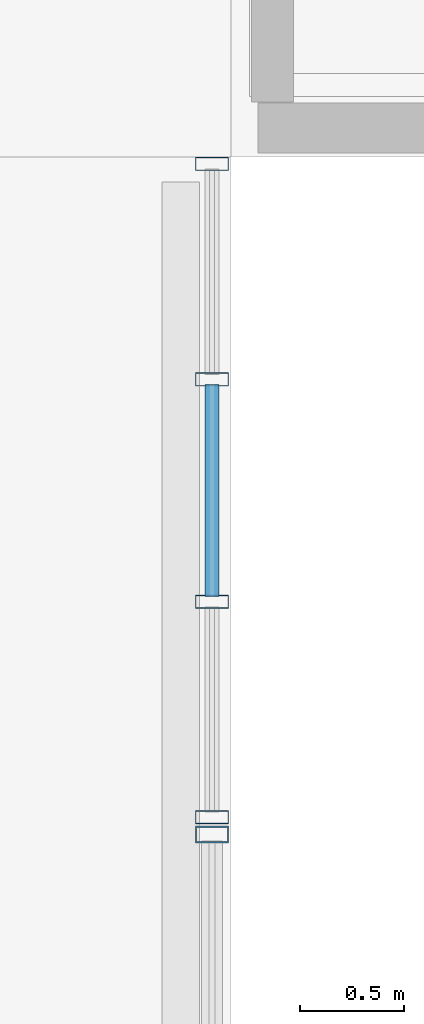
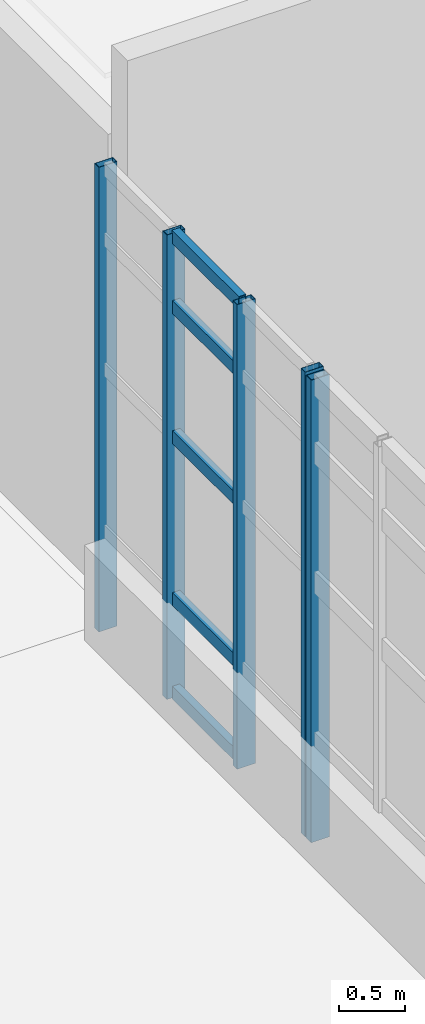
# One storey, part 25 of 57: 10 members, 2 elements without a shape of their own.
"""IFC4 building model written with IfcOpenShell, lengths in metres."""

from ifc_helpers import new_model, si_unit, derived_unit, direction, frame, origin, origin_2d, place, context, subcontext, project, spatial, hollow_rectangle, extrude, material, layer, layer_set, material_profile, profile_set, type_object, element, aggregate, save


model = new_model("IFC4")

# Units and contexts
model_context = context("Model", 3, precision=1e-05, world=origin(), true_north=direction((0.0, 1.0)))
body_context = subcontext(model_context, "Body", "Model", "MODEL_VIEW")
ifc_project = project(units=[si_unit("LENGTHUNIT", "METRE"), si_unit("AREAUNIT", "SQUARE_METRE"), si_unit("VOLUMEUNIT", "CUBIC_METRE"), si_unit("PLANEANGLEUNIT", "RADIAN"), si_unit("MASSUNIT", "GRAM", prefix="KILO"), derived_unit("THERMALTRANSMITTANCEUNIT", [(si_unit("POWERUNIT", "WATT"), 1), (si_unit("LENGTHUNIT", "METRE"), -2), (si_unit("THERMODYNAMICTEMPERATUREUNIT", "KELVIN"), -1)])], contexts=[model_context])

# Site, building, storey
site_placement = place(None, origin())
site = spatial("IfcSite", under=ifc_project, at=site_placement, CompositionType="ELEMENT")
building_placement = place(site_placement, origin())
building = spatial("IfcBuilding", under=site, at=building_placement, Name="Nallur Shell Playhouse", CompositionType="ELEMENT")
storey_placement = place(building_placement, origin())
storey = spatial("IfcBuildingStorey", under=building, at=storey_placement, Name="L01", CompositionType="ELEMENT", Elevation=0.0)

# Curtain wall, member
ifc_material_1 = material(Name="Anodised Aluminium Double-Glazed Facade System", Category="aluminium")
ifc_layer_1 = layer(ifc_material_1, 0.16796875)
ifc_layer_set_1 = layer_set([ifc_layer_1], Name="Anodised Aluminium Double-Glazed Facade System")
curtain_wall_type_1 = type_object("IfcCurtainWallType", Name="CW-UNIT-02", PredefinedType="NOTDEFINED", material=ifc_layer_set_1)
curtain_wall_1_placement = place(storey_placement, origin())
curtain_wall_1 = element("IfcCurtainWall", 1, at=curtain_wall_1_placement, inside=storey, type_object=curtain_wall_type_1, Name="Unitised curtain wall CW-002 (L01)", PredefinedType="NOTDEFINED")
ifc_material_2 = material(Name="Aluminium Alloy 6063-T6 Mullion", Category="aluminium")
ifc_material_profile_1 = material_profile(ifc_material_2, hollow_rectangle(XDim=0.080078125, YDim=0.159912109375, WallThickness=0.006103515625, at=origin_2d()), Name="RHS 160x80x6")
ifc_profile_set_1 = profile_set([ifc_material_profile_1], Name="Aluminium Alloy 6063-T6 Mullion")
member_type_1 = type_object("IfcMemberType", Name="MB-CW-MUL150", PredefinedType="MULLION", material=ifc_profile_set_1)
member_1_placement = place(storey_placement, frame((118.510009765625, 20.7548828125, -0.014892578125), z_axis=(0.0, 0.0, 1.0), x_axis=(0.0, -1.0, 0.0)))
member_1 = element("IfcMember", 2, at=member_1_placement, type_object=member_type_1, Name="CW-02 mullion 1", PredefinedType="MULLION", context=body_context, shape_type="SweptSolid", body=[
    extrude(hollow_rectangle(XDim=0.080078125, YDim=0.159912109375, WallThickness=0.006103515625, at=origin_2d()), origin(), (0.0, 0.0, 1.0), 4.283935546875),
])
aggregate(curtain_wall_1, [member_1])

# Curtain wall, members
ifc_layer_2 = layer(ifc_material_1, 0.1640625)
ifc_layer_set_2 = layer_set([ifc_layer_2], Name="Anodised Aluminium Double-Glazed Facade System")
curtain_wall_type_2 = type_object("IfcCurtainWallType", Name="CW-UNIT-01", PredefinedType="NOTDEFINED", material=ifc_layer_set_2)
curtain_wall_2_placement = place(storey_placement, origin())
curtain_wall_2 = element("IfcCurtainWall", 3, at=curtain_wall_2_placement, inside=storey, type_object=curtain_wall_type_2, Name="Unitised curtain wall CW-001 (L01)", PredefinedType="NOTDEFINED")
ifc_material_profile_2 = material_profile(ifc_material_2, hollow_rectangle(XDim=0.06494140625, YDim=0.159912109375, WallThickness=0.00390625, at=origin_2d()), Name="ALU 65x160x4")
ifc_profile_set_2 = profile_set([ifc_material_profile_2], Name="Aluminium Alloy 6063-T6 Mullion")
member_type_2 = type_object("IfcMemberType", Name="MB-CW-MUL160", PredefinedType="MULLION", material=ifc_profile_set_2)
member_2_placement = place(storey_placement, frame((118.510009765625, 23.967529296875, -0.014892578125), z_axis=(0.0, 0.0, 1.0), x_axis=(0.0, -1.0, 0.0)))
member_2 = element("IfcMember", 4, at=member_2_placement, type_object=member_type_2, Name="CW-01 mullion 1", PredefinedType="MULLION", context=body_context, shape_type="SweptSolid", body=[
    extrude(hollow_rectangle(XDim=0.06494140625, YDim=0.159912109375, WallThickness=0.00390625, at=origin_2d()), origin(), (0.0, 0.0, 1.0), 4.303955078125),
])
member_3_placement = place(storey_placement, frame((118.510009765625, 22.93505859375, -0.014892578125), z_axis=(0.0, 0.0, 1.0), x_axis=(0.0, -1.0, 0.0)))
member_3 = element("IfcMember", 5, at=member_3_placement, type_object=member_type_2, Name="CW-01 mullion 2", PredefinedType="MULLION", context=body_context, shape_type="SweptSolid", body=[
    extrude(hollow_rectangle(XDim=0.06494140625, YDim=0.159912109375, WallThickness=0.00390625, at=origin_2d()), origin(), (0.0, 0.0, 1.0), 4.303955078125),
])
member_4_placement = place(storey_placement, frame((118.510009765625, 21.8701171875, -0.014892578125), z_axis=(0.0, 0.0, 1.0), x_axis=(0.0, -1.0, 0.0)))
member_4 = element("IfcMember", 6, at=member_4_placement, type_object=member_type_2, Name="CW-01 mullion 3", PredefinedType="MULLION", context=body_context, shape_type="SweptSolid", body=[
    extrude(hollow_rectangle(XDim=0.06494140625, YDim=0.159912109375, WallThickness=0.00390625, at=origin_2d()), origin(), (0.0, 0.0, 1.0), 4.303955078125),
])
member_5_placement = place(storey_placement, frame((118.510009765625, 20.83740234375, -0.014892578125), z_axis=(0.0, 0.0, 1.0), x_axis=(0.0, -1.0, 0.0)))
member_5 = element("IfcMember", 7, at=member_5_placement, type_object=member_type_2, Name="CW-01 mullion 4", PredefinedType="MULLION", context=body_context, shape_type="SweptSolid", body=[
    extrude(hollow_rectangle(XDim=0.06494140625, YDim=0.159912109375, WallThickness=0.00390625, at=origin_2d()), origin(), (0.0, 0.0, 1.0), 4.303955078125),
])
ifc_material_3 = material(Name="Aluminium Alloy 6063-T6 Transom", Category="aluminium")
ifc_material_profile_3 = material_profile(ifc_material_3, hollow_rectangle(XDim=0.06494140625, YDim=0.1201171875, WallThickness=0.00390625, at=origin_2d()), Name="ALU 65x120x4")
ifc_profile_set_3 = profile_set([ifc_material_profile_3], Name="Aluminium Alloy 6063-T6 Transom")
member_type_3 = type_object("IfcMemberType", Name="MB-CW-TRN120", PredefinedType="USERDEFINED", material=ifc_profile_set_3)
member_6_placement = place(storey_placement, frame((118.510009765625, 22.910400390625, 0.032470703125), z_axis=(0.0, -1.0, 0.0), x_axis=(1.0, 0.0, 0.0)))
member_6 = element("IfcMember", 8, at=member_6_placement, type_object=member_type_3, Name="CW-01 transom 2.1", ObjectType="TRANSOM", PredefinedType="USERDEFINED", context=body_context, shape_type="SweptSolid", body=[
    extrude(hollow_rectangle(XDim=0.06494140625, YDim=0.1201171875, WallThickness=0.00390625, at=origin_2d()), origin(), (0.0, 0.0, 1.0), 1.015869140625),
])
member_7_placement = place(storey_placement, frame((118.510009765625, 22.910400390625, 0.89990234375), z_axis=(0.0, -1.0, 0.0), x_axis=(1.0, 0.0, 0.0)))
member_7 = element("IfcMember", 9, at=member_7_placement, type_object=member_type_3, Name="CW-01 transom 2.2", ObjectType="TRANSOM", PredefinedType="USERDEFINED", context=body_context, shape_type="SweptSolid", body=[
    extrude(hollow_rectangle(XDim=0.06494140625, YDim=0.1201171875, WallThickness=0.00390625, at=origin_2d()), origin(), (0.0, 0.0, 1.0), 1.015869140625),
])
member_8_placement = place(storey_placement, frame((118.510009765625, 22.910400390625, 2.39990234375), z_axis=(0.0, -1.0, 0.0), x_axis=(1.0, 0.0, 0.0)))
member_8 = element("IfcMember", 10, at=member_8_placement, type_object=member_type_3, Name="CW-01 transom 2.3", ObjectType="TRANSOM", PredefinedType="USERDEFINED", context=body_context, shape_type="SweptSolid", body=[
    extrude(hollow_rectangle(XDim=0.06494140625, YDim=0.1201171875, WallThickness=0.00390625, at=origin_2d()), origin(), (0.0, 0.0, 1.0), 1.015869140625),
])
member_9_placement = place(storey_placement, frame((118.510009765625, 22.910400390625, 3.60498046875), z_axis=(0.0, -1.0, 0.0), x_axis=(1.0, 0.0, 0.0)))
member_9 = element("IfcMember", 11, at=member_9_placement, type_object=member_type_3, Name="CW-01 transom 2.4", ObjectType="TRANSOM", PredefinedType="USERDEFINED", context=body_context, shape_type="SweptSolid", body=[
    extrude(hollow_rectangle(XDim=0.06494140625, YDim=0.1201171875, WallThickness=0.00390625, at=origin_2d()), origin(), (0.0, 0.0, 1.0), 1.015869140625),
])
member_10_placement = place(storey_placement, frame((118.510009765625, 22.910400390625, 4.25244140625), z_axis=(0.0, -1.0, 0.0), x_axis=(1.0, 0.0, 0.0)))
member_10 = element("IfcMember", 12, at=member_10_placement, type_object=member_type_3, Name="CW-01 transom 2.5", ObjectType="TRANSOM", PredefinedType="USERDEFINED", context=body_context, shape_type="SweptSolid", body=[
    extrude(hollow_rectangle(XDim=0.06494140625, YDim=0.1201171875, WallThickness=0.00390625, at=origin_2d()), origin(), (0.0, 0.0, 1.0), 1.015869140625),
])
aggregate(curtain_wall_2, [member_2, member_3, member_4, member_5, member_6, member_7, member_8, member_9, member_10])

save(model, "model.ifc")
